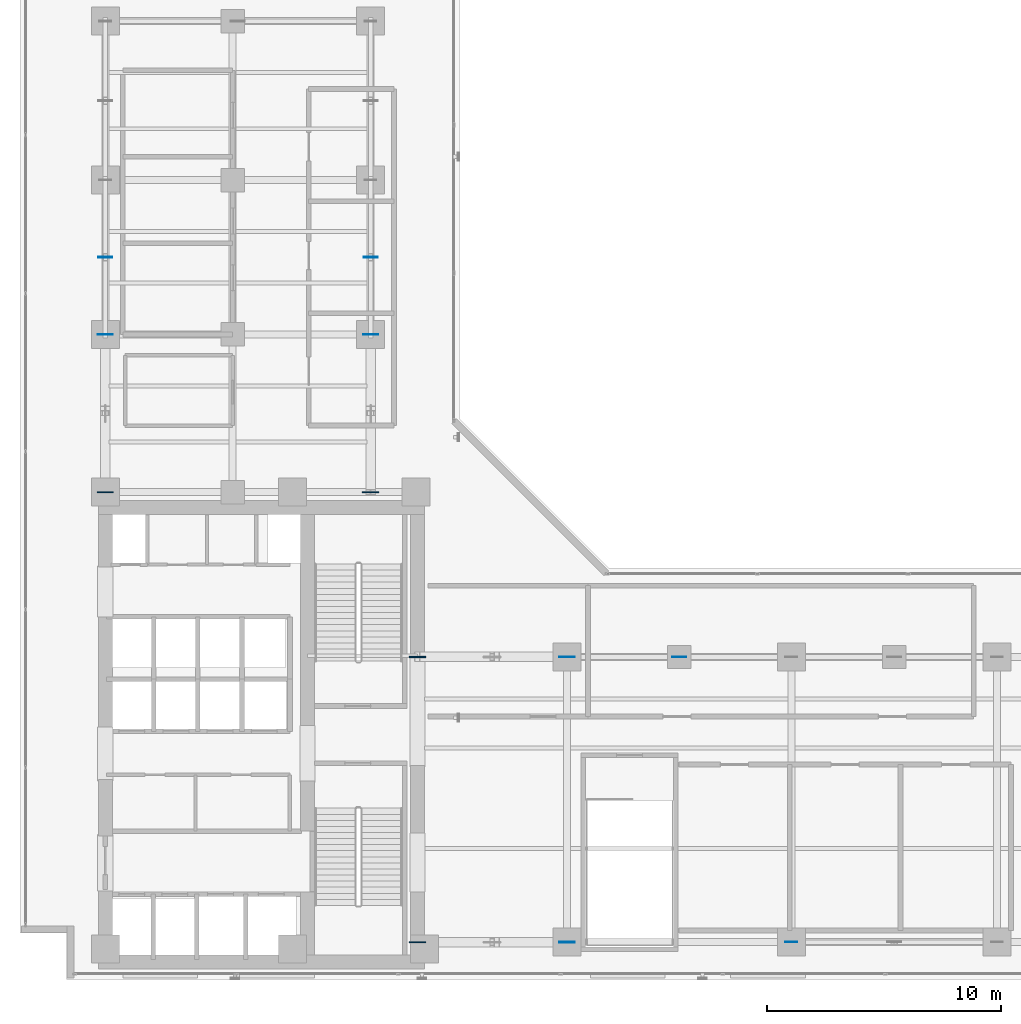
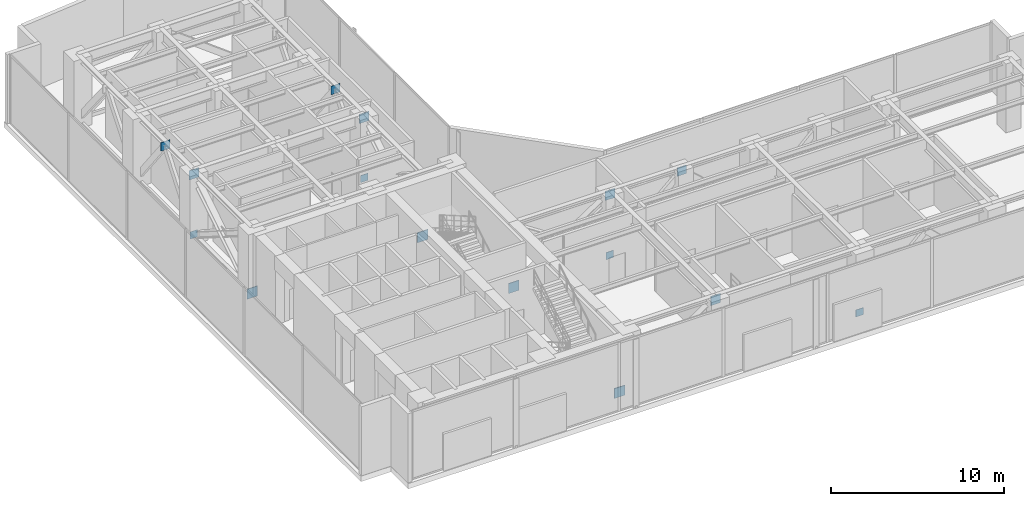
# One storey, part 28 of 36: 15 plates.
"""IFC4 building model written with IfcOpenShell, lengths in metres."""

from ifc_helpers import new_model, si_unit, direction, frame, origin, origin_with_axes, origin_2d, place, context, subcontext, project, spatial, rectangle, extrude, source, transform, mapped, material, layer, layer_set, type_object, element, save


model = new_model("IFC4")

# Units and contexts
model_context = context("Model", 3, precision=1e-05, world=origin(), true_north=direction((0.0, 1.0)))
body_context = subcontext(model_context, "Body", "Model", "MODEL_VIEW")
ifc_project = project(units=[si_unit("LENGTHUNIT", "METRE"), si_unit("AREAUNIT", "SQUARE_METRE"), si_unit("VOLUMEUNIT", "CUBIC_METRE"), si_unit("PLANEANGLEUNIT", "RADIAN"), si_unit("MASSUNIT", "GRAM", prefix="KILO")], contexts=[model_context])

# Site, building, storey
site_placement = place(None, origin())
site = spatial("IfcSite", under=ifc_project, at=site_placement, CompositionType="ELEMENT")
building_placement = place(site_placement, origin())
building = spatial("IfcBuilding", under=site, at=building_placement, Name="Kolvaren Waterfront Exchange", CompositionType="ELEMENT")
storey_placement = place(building_placement, frame((0.0, 0.0, 199.39990234375)))
storey = spatial("IfcBuildingStorey", under=building, at=storey_placement, Name="L51", CompositionType="ELEMENT", Elevation=199.39990234375)

# Plates
ifc_material_1 = material(Name="Steel S460", Category="steel")
ifc_layer_1 = layer(ifc_material_1, 0.044921875, Name="Steel S460")
ifc_layer_set_1 = layer_set([ifc_layer_1], Name="Steel S460")
plate_type_1 = type_object("IfcPlateType", Name="STR-PL-ON1", PredefinedType="USERDEFINED", material=ifc_layer_set_1)
shared_shape_1 = source(origin_with_axes(), body_context, "Body", "SweptSolid", [
    extrude(rectangle(XDim=0.699951171875, YDim=0.044921875, at=origin_2d()), origin(), (0.0, 0.0, 1.0), 0.699951171875),
])
for number, where, z_axis, x_axis, name in (
    (1, (20.800048828125, 5.199951171875, -0.10009765625), (0.0, 0.0, 1.0), (1.0, 0.0, 0.0), "L51 outrigger core gusset plate OA1"),
    (2, (20.800048828125, 17.39990234375, -0.10009765625), (0.0, 0.0, 1.0), (1.0, 0.0, 0.0), "L51 outrigger core gusset plate OA2"),
    (3, (7.449951171875, 24.449951171875, -0.10009765625), (0.0, 0.0, 1.0), (1.0, 0.0, 0.0), "L51 outrigger core gusset plate OA3"),
    (4, (18.800048828125, 24.449951171875, -0.10009765625), (0.0, 0.0, 1.0), (1.0, 0.0, 0.0), "L51 outrigger core gusset plate OA4"),
):
    element("IfcPlate", number, at=place(storey_placement, frame(where, z_axis=z_axis, x_axis=x_axis)), inside=storey, type_object=plate_type_1, Name=name, ObjectType="GUSSET PLATE", PredefinedType="USERDEFINED", context=body_context, shape_type="MappedRepresentation", body=[
        mapped(shared_shape_1, transform((0.0, 0.0, 0.0), x_axis=(1.0, 0.0, 0.0), y_axis=(0.0, 1.0, 0.0), z_axis=(0.0, 0.0, 1.0), scale=1.0)),
    ])
ifc_layer_2 = layer(ifc_material_1, 0.031982421875, Name="Steel S460")
ifc_layer_set_2 = layer_set([ifc_layer_2], Name="Steel S460")
plate_type_2 = type_object("IfcPlateType", Name="STR-PL-ON2", PredefinedType="USERDEFINED", material=ifc_layer_set_2)
shared_shape_2 = source(origin_with_axes(), body_context, "Body", "SweptSolid", [
    extrude(rectangle(XDim=0.64990234375, YDim=0.031982421875, at=origin_2d()), origin(), (0.0, 0.0, 1.0), 0.64990234375),
])
for number, where, z_axis, x_axis, name in (
    (5, (27.199951171875, 5.199951171875, 4.18505859375), (0.0, 0.0, 1.0), (1.0, 0.0, 0.0), "L51 outrigger perimeter cap plate OA1"),
    (6, (27.199951171875, 17.39990234375, 4.18505859375), (0.0, 0.0, 1.0), (1.0, 0.0, 0.0), "L51 outrigger perimeter cap plate OA2"),
    (7, (7.449951171875, 31.199951171875, 4.18505859375), (0.0, 0.0, 1.0), (1.0, 0.0, 0.0), "L51 outrigger perimeter cap plate OA3"),
    (8, (18.800048828125, 31.199951171875, 4.18505859375), (0.0, 0.0, 1.0), (1.0, 0.0, 0.0), "L51 outrigger perimeter cap plate OA4"),
):
    element("IfcPlate", number, at=place(storey_placement, frame(where, z_axis=z_axis, x_axis=x_axis)), inside=storey, type_object=plate_type_2, Name=name, ObjectType="GUSSET PLATE", PredefinedType="USERDEFINED", context=body_context, shape_type="MappedRepresentation", body=[
        mapped(shared_shape_2, transform((0.0, 0.0, 0.0), x_axis=(1.0, 0.0, 0.0), y_axis=(0.0, 1.0, 0.0), z_axis=(0.0, 0.0, 1.0), scale=1.0)),
    ])
ifc_layer_3 = layer(ifc_material_1, 0.030029296875, Name="Steel S460")
ifc_layer_set_3 = layer_set([ifc_layer_3], Name="Steel S460")
plate_type_3 = type_object("IfcPlateType", Name="STR-PL-BN1", PredefinedType="SHEET", material=ifc_layer_set_3)
shared_shape_3 = source(origin_with_axes(), body_context, "Body", "SweptSolid", [
    extrude(rectangle(XDim=0.60009765625, YDim=0.030029296875, at=origin_2d()), origin(), (0.0, 0.0, 1.0), 0.60009765625),
])
for number, where, z_axis, x_axis, name in (
    (9, (32.0, 17.39990234375, 4.2099609375), (0.0, 0.0, 1.0), (1.0, 0.0, 0.0), "L51 belt-truss chevron apex gusset BT1"),
    (10, (7.449951171875, 34.5, 4.2099609375), (0.0, 0.0, 1.0), (1.0, 0.0, 0.0), "L51 belt-truss chevron apex gusset BT4"),
    (11, (18.800048828125, 34.5, 4.2099609375), (0.0, 0.0, 1.0), (1.0, 0.0, 0.0), "L51 belt-truss chevron apex gusset BT6"),
):
    element("IfcPlate", number, at=place(storey_placement, frame(where, z_axis=z_axis, x_axis=x_axis)), inside=storey, type_object=plate_type_3, Name=name, PredefinedType="SHEET", context=body_context, shape_type="MappedRepresentation", body=[
        mapped(shared_shape_3, transform((0.0, 0.0, 0.0), x_axis=(1.0, 0.0, 0.0), y_axis=(0.0, 1.0, 0.0), z_axis=(0.0, 0.0, 1.0), scale=1.0)),
    ])
ifc_material_2 = material(Name="Steel S355", Category="steel")
ifc_layer_4 = layer(ifc_material_2, 0.02490234375, Name="Steel S355")
ifc_layer_set_4 = layer_set([ifc_layer_4], Name="Steel S355")
plate_type_4 = type_object("IfcPlateType", Name="STR-PL-BN2", PredefinedType="SHEET", material=ifc_layer_set_4)
shared_shape_4 = source(origin_with_axes(), body_context, "Body", "SweptSolid", [
    extrude(rectangle(XDim=0.5, YDim=0.02490234375, at=origin_2d()), origin(), (0.0, 0.0, 1.0), 0.5),
])
for number, where, z_axis, x_axis, name in (
    (12, (27.199951171875, 17.39990234375, 0.0), (0.0, 0.0, 1.0), (1.0, 0.0, 0.0), "L51 belt-truss end cap plate BT1.1"),
    (13, (36.800048828125, 5.199951171875, 0.0), (0.0, 0.0, 1.0), (1.0, 0.0, 0.0), "L51 belt-truss end cap plate BT3.1"),
    (14, (7.449951171875, 31.199951171875, 0.0), (0.0, 0.0, 1.0), (1.0, 0.0, 0.0), "L51 belt-truss end cap plate BT4.1"),
    (15, (18.800048828125, 31.199951171875, 0.0), (0.0, 0.0, 1.0), (1.0, 0.0, 0.0), "L51 belt-truss end cap plate BT6.1"),
):
    element("IfcPlate", number, at=place(storey_placement, frame(where, z_axis=z_axis, x_axis=x_axis)), inside=storey, type_object=plate_type_4, Name=name, PredefinedType="SHEET", context=body_context, shape_type="MappedRepresentation", body=[
        mapped(shared_shape_4, transform((0.0, 0.0, 0.0), x_axis=(1.0, 0.0, 0.0), y_axis=(0.0, 1.0, 0.0), z_axis=(0.0, 0.0, 1.0), scale=1.0)),
    ])

save(model, "model.ifc")
